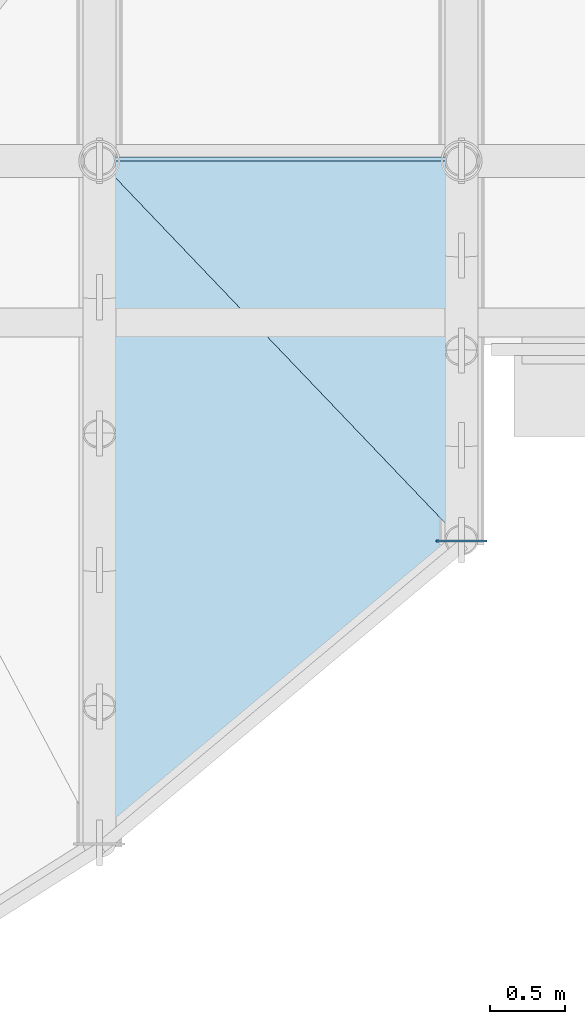
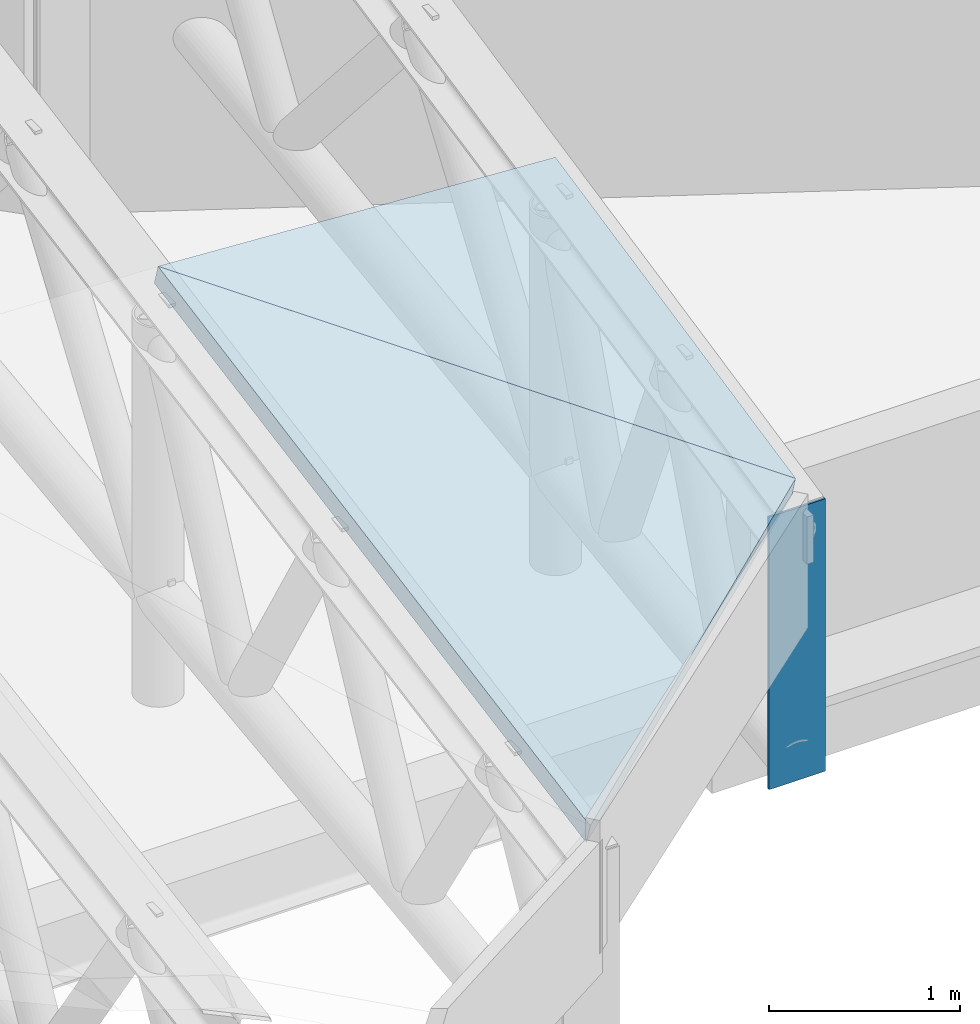
# One storey, part 30 of 58: 2 slabs, 1 plate.
"""IFC4 building model written with IfcOpenShell, lengths in metres."""

import ifcopenshell
import ifcopenshell.guid

model = None  # the IFC model being written
_history = None  # IfcOwnerHistory: only IFC2X3 demands one
_inside = {}  # id of a spatial element -> (the spatial element, [elements in it])
_under = {}  # id of a project, library or spatial element -> (it, [spatial elements below it])
_declared = {}  # id of a project -> (the project, [libraries it declares])
_typed = {}  # id of a type object -> (the type object, [elements of that type])
_made_of = {}  # id of a material, layer set ... -> (it, [elements and type objects made of it])


def new_model(schema):
    """Start an empty IFC model of exactly this schema.

    Asked for "IFC4X3", IfcOpenShell would pick the latest addendum, in which some entities
    have other attributes; the version numbers below select the first issue.
    IFC2X3 requires an IfcOwnerHistory on every rooted entity: one is made here for all.
    """
    global model, _history
    if schema == "IFC4X3":
        model = ifcopenshell.file(schema_version=(4, 3, 0, 0))
    else:
        model = ifcopenshell.file(schema=schema)
    _inside.clear()
    _under.clear()
    _declared.clear()
    _typed.clear()
    _made_of.clear()
    _history = None
    if model.schema == "IFC2X3":
        org = make("IfcOrganization", Name="unknown")
        user = make(
            "IfcPersonAndOrganization",
            ThePerson=make("IfcPerson", FamilyName="unknown"),
            TheOrganization=org,
        )
        app = make(
            "IfcApplication",
            ApplicationDeveloper=org,
            Version="unknown",
            ApplicationFullName="unknown",
            ApplicationIdentifier="unknown",
        )
        _history = make(
            "IfcOwnerHistory",
            OwningUser=user,
            OwningApplication=app,
            ChangeAction="ADDED",
            CreationDate=0,
        )
    return model


def make(cls, **values):
    """One entity of the class cls with the attributes given. An attribute that is None is left unset."""
    return model.create_entity(
        cls, **{name: value for name, value in values.items() if value is not None}
    )


def rooted(cls, **values):
    """An entity with a GlobalId (a new one), such as an element, a storey or a relation."""
    return make(cls, GlobalId=ifcopenshell.guid.new(), OwnerHistory=_history, **values)


def si_unit(unit_type, name, prefix=None):
    """IfcSIUnit, for example si_unit("LENGTHUNIT", "METRE", prefix="MILLI")."""
    return make("IfcSIUnit", UnitType=unit_type, Prefix=prefix, Name=name)


def assignment(units):
    """IfcUnitAssignment: the units of a project."""
    return None if units is None else make("IfcUnitAssignment", Units=units)


def point(xyz):
    """IfcCartesianPoint."""
    return None if xyz is None else make("IfcCartesianPoint", Coordinates=xyz)


def direction(xyz):
    """IfcDirection."""
    return None if xyz is None else make("IfcDirection", DirectionRatios=xyz)


def frame(location, z_axis=None, x_axis=None):
    """IfcAxis2Placement3D, a coordinate frame: its origin and axes. An axis left out is left unset."""
    return make(
        "IfcAxis2Placement3D",
        Location=point(location),
        Axis=direction(z_axis),
        RefDirection=direction(x_axis),
    )


def frame_2d(location, x_axis=None):
    """IfcAxis2Placement2D, a coordinate frame in the plane: its origin and x axis."""
    return make(
        "IfcAxis2Placement2D", Location=point(location), RefDirection=direction(x_axis)
    )


def origin():
    """The frame at (0, 0, 0) with its axes left unset."""
    return frame((0.0, 0.0, 0.0))


def origin_2d():
    """The frame at (0, 0) in the plane with its x axis left unset."""
    return frame_2d((0.0, 0.0))


def place(relative_to, where):
    """IfcLocalPlacement: puts the frame where relative to a parent placement (None: the world)."""
    return make(
        "IfcLocalPlacement", PlacementRelTo=relative_to, RelativePlacement=where
    )


def context(
    kind, dimensions, precision=None, world=None, true_north=None, identifier=None
):
    """IfcGeometricRepresentationContext, for example the 3D "Model" context."""
    return make(
        "IfcGeometricRepresentationContext",
        ContextIdentifier=identifier,
        ContextType=kind,
        CoordinateSpaceDimension=dimensions,
        Precision=precision,
        WorldCoordinateSystem=world,
        TrueNorth=true_north,
    )


def subcontext(parent, identifier, kind, view, scale=None):
    """IfcGeometricRepresentationSubContext, for example "Body" below "Model"."""
    return make(
        "IfcGeometricRepresentationSubContext",
        ContextIdentifier=identifier,
        ContextType=kind,
        ParentContext=parent,
        TargetScale=scale,
        TargetView=view,
    )


def project(units=None, contexts=None):
    """IfcProject with its units and contexts."""
    return rooted(
        "IfcProject",
        Name="project",
        RepresentationContexts=contexts,
        UnitsInContext=assignment(units),
    )


def spatial(cls, under=None, at=None, **own):
    """A site, building, storey or space (cls), placed at a placement, below another one or the project."""
    s = rooted(cls, ObjectPlacement=at, **own)
    if under is not None:
        _under.setdefault(under.id(), (under, []))[1].append(s)
    return s


def polyline(points):
    """IfcPolyline through the points."""
    return make("IfcPolyline", Points=[point(p) for p in points])


def profile(cls, at=None, kind="AREA", **sizes):
    """A parametric profile (cls). Its sizes go by their IFC names, for example OverallWidth=200.0."""
    return make(cls, ProfileType=kind, Position=at, **sizes)


def rectangle(**sizes):
    """IfcRectangleProfileDef."""
    return profile("IfcRectangleProfileDef", **sizes)


def outline(outer, holes=None, kind="AREA"):
    """IfcArbitraryClosedProfileDef: a profile drawn as a closed curve; with holes, ...WithVoids."""
    if holes is None:
        return make("IfcArbitraryClosedProfileDef", ProfileType=kind, OuterCurve=outer)
    return make(
        "IfcArbitraryProfileDefWithVoids",
        ProfileType=kind,
        OuterCurve=outer,
        InnerCurves=holes,
    )


def extrude(swept, where, along, depth):
    """IfcExtrudedAreaSolid: the profile swept, set in the frame where, extruded along a direction by depth."""
    return make(
        "IfcExtrudedAreaSolid",
        SweptArea=swept,
        Position=where,
        ExtrudedDirection=direction(along),
        Depth=depth,
    )


def shape(context_of_items, identifier, shape_type, items):
    """IfcShapeRepresentation: the items that make up one representation, for example the "Body"."""
    return make(
        "IfcShapeRepresentation",
        ContextOfItems=context_of_items,
        RepresentationIdentifier=identifier,
        RepresentationType=shape_type,
        Items=items,
    )


def material(Name=None, Category=None):
    """IfcMaterial."""
    return make("IfcMaterial", Name=Name, Category=Category)


def layer(
    of_material, thickness, ventilated=None, Name=None, Category=None, Priority=None
):
    """IfcMaterialLayer: one layer of a wall or slab, of a material (None: an air gap)."""
    return make(
        "IfcMaterialLayer",
        Material=of_material,
        LayerThickness=thickness,
        IsVentilated=ventilated,
        Name=Name,
        Category=Category,
        Priority=Priority,
    )


def layer_set(layers, Name=None):
    """IfcMaterialLayerSet."""
    return make("IfcMaterialLayerSet", MaterialLayers=layers, LayerSetName=Name)


def made_of(thing, what):
    """Note that an element or type object is made of a material, layer set ...; save() writes the relation."""
    if what is not None:
        _made_of.setdefault(what.id(), (what, []))[1].append(thing)
    return thing


def type_object(cls, material=None, **own):
    """A type object (cls), such as IfcWallType, which elements share."""
    return made_of(rooted(cls, **own), material)


def element(
    cls,
    number,
    at=None,
    inside=None,
    cuts=None,
    type_object=None,
    material=None,
    context=None,
    identifier="Body",
    shape_type=None,
    held_by="IfcProductDefinitionShape",
    body=None,
    shapes=None,
    **own,
):
    """One element of the class cls, such as IfcWall. Its Tag is "e" and its number.

    at: its placement. inside: the storey or other place that contains it. cuts: it is an
    opening in that element (IfcRelVoidsElement). A single representation is given by context,
    identifier, shape_type and body (its items); several are given by shapes. held_by: the class
    of the entity that holds the representations. save() writes the other relations.
    """
    e = rooted(cls, Tag="e%d" % number, ObjectPlacement=at, **own)
    if body is not None:
        shapes = [shape(context, identifier, shape_type, body)]
    if shapes is not None:
        e.Representation = make(held_by, Representations=shapes)
    if inside is not None:
        _inside.setdefault(inside.id(), (inside, []))[1].append(e)
    if cuts is not None:
        rooted(
            "IfcRelVoidsElement", RelatingBuildingElement=cuts, RelatedOpeningElement=e
        )
    if type_object is not None:
        _typed.setdefault(type_object.id(), (type_object, []))[1].append(e)
    return made_of(e, material)


def aggregate(whole, parts):
    """IfcRelAggregates: a whole, such as a stair, and the parts it consists of."""
    return rooted("IfcRelAggregates", RelatingObject=whole, RelatedObjects=parts)


def save(model, path):
    """Write the relations noted so far, then the file.

    IfcRelAggregates (storeys below a building ...), IfcRelContainedInSpatialStructure (elements
    in a storey), IfcRelDefinesByType, IfcRelAssociatesMaterial and IfcRelDeclares: one each for
    every whole, place, type object, material and project.
    """
    for whole, parts in _under.values():
        aggregate(whole, parts)
    for where, things in _inside.values():
        rooted(
            "IfcRelContainedInSpatialStructure",
            RelatedElements=things,
            RelatingStructure=where,
        )
    for kind, things in _typed.values():
        rooted("IfcRelDefinesByType", RelatedObjects=things, RelatingType=kind)
    for what, things in _made_of.values():
        rooted("IfcRelAssociatesMaterial", RelatedObjects=things, RelatingMaterial=what)
    for by, libraries in _declared.values():
        rooted("IfcRelDeclares", RelatingContext=by, RelatedDefinitions=libraries)
    model.write(path)


model = new_model("IFC4")

# Units and contexts
model_context = context("Model", 3, precision=1e-05, world=origin(), true_north=direction((0.0, 1.0)))
body_context = subcontext(model_context, "Body", "Model", "MODEL_VIEW")
ifc_project = project(units=[si_unit("LENGTHUNIT", "METRE"), si_unit("AREAUNIT", "SQUARE_METRE"), si_unit("VOLUMEUNIT", "CUBIC_METRE"), si_unit("PLANEANGLEUNIT", "RADIAN"), si_unit("MASSUNIT", "GRAM", prefix="KILO")], contexts=[model_context])

# Site, building, storey
site_placement = place(None, origin())
site = spatial("IfcSite", under=ifc_project, at=site_placement, CompositionType="ELEMENT")
building_placement = place(site_placement, origin())
building = spatial("IfcBuilding", under=site, at=building_placement, Name="Sefraquen Railside Congress Hotel", CompositionType="ELEMENT")
storey_placement = place(building_placement, frame((0.0, 0.0, 16.199951171875)))
storey = spatial("IfcBuildingStorey", under=building, at=storey_placement, Name="L03", CompositionType="ELEMENT", Elevation=16.199951171875)

# Plate
ifc_material_1 = material(Name="Steel S355J2", Category="steel")
ifc_layer_1 = layer(ifc_material_1, 0.013916015625)
ifc_layer_set_1 = layer_set([ifc_layer_1], Name="Steel S355J2")
plate_type = type_object("IfcPlateType", Name="TP-CAP-01", PredefinedType="SHEET", material=ifc_layer_set_1)
plate_placement = place(storey_placement, frame((53.60009765625, 4.678955078125, 0.12890625), z_axis=(0.0, 0.0, 1.0), x_axis=(1.0, 0.0, 0.0)))
element("IfcPlate", 1, at=plate_placement, inside=storey, type_object=plate_type, Name="Canopy truss tip fascia cap plate 14", PredefinedType="SHEET", context=body_context, shape_type="SweptSolid", body=[
    extrude(rectangle(XDim=0.340087890625, YDim=0.013916015625, at=origin_2d()), origin(), (0.0, 0.0, 1.0), 1.739990234375),
])

# Slabs
ifc_material_2 = material(Name="Concrete C40/50", Category="concrete")
ifc_layer_2 = layer(ifc_material_2, 0.1201171875)
ifc_layer_set_2 = layer_set([ifc_layer_2], Name="Concrete C40/50")
slab_type = type_object("IfcSlabType", Name="TS-CN-120", PredefinedType="ROOF", material=ifc_layer_set_2)
slab_1_placement = place(storey_placement, frame((51.199951171875, 7.199951171875, 2.7197265625), z_axis=(0.058538044502, -0.204767646807, 0.977058600171), x_axis=(0.998210062188, 0.0, -0.059805281927)))
element("IfcSlab", 2, at=slab_1_placement, inside=storey, type_object=slab_type, Name="Sweeping arrival canopy deck facet 13A", PredefinedType="ROOF", context=body_context, shape_type="SweptSolid", body=[
    extrude(outline(polyline([(0.0, 0.0), (2.4044503008853804, 0.0), (2.435959040728995, -2.568337520241669), (0.0, 0.0)])), origin(), (0.0, 0.0, -1.0), 0.1201171875),
])
slab_2_placement = place(storey_placement, frame((51.199951171875, 7.199951171875, 2.7197265625), z_axis=(0.084978132235, -0.180291627402, 0.97993553162), x_axis=(0.678043894483, -0.710183906164, -0.189460540957)))
element("IfcSlab", 3, at=slab_2_placement, inside=storey, type_object=slab_type, Name="Sweeping arrival canopy deck facet 13B", PredefinedType="ROOF", context=body_context, shape_type="SweptSolid", body=[
    extrude(outline(polyline([(0.0, 0.0), (3.5398098912216245, 1.5959455978986625e-16), (3.368329501313681, -3.1281994574523386), (0.0, 0.0)])), origin(), (0.0, 0.0, -1.0), 0.1201171875),
])

save(model, "model.ifc")
